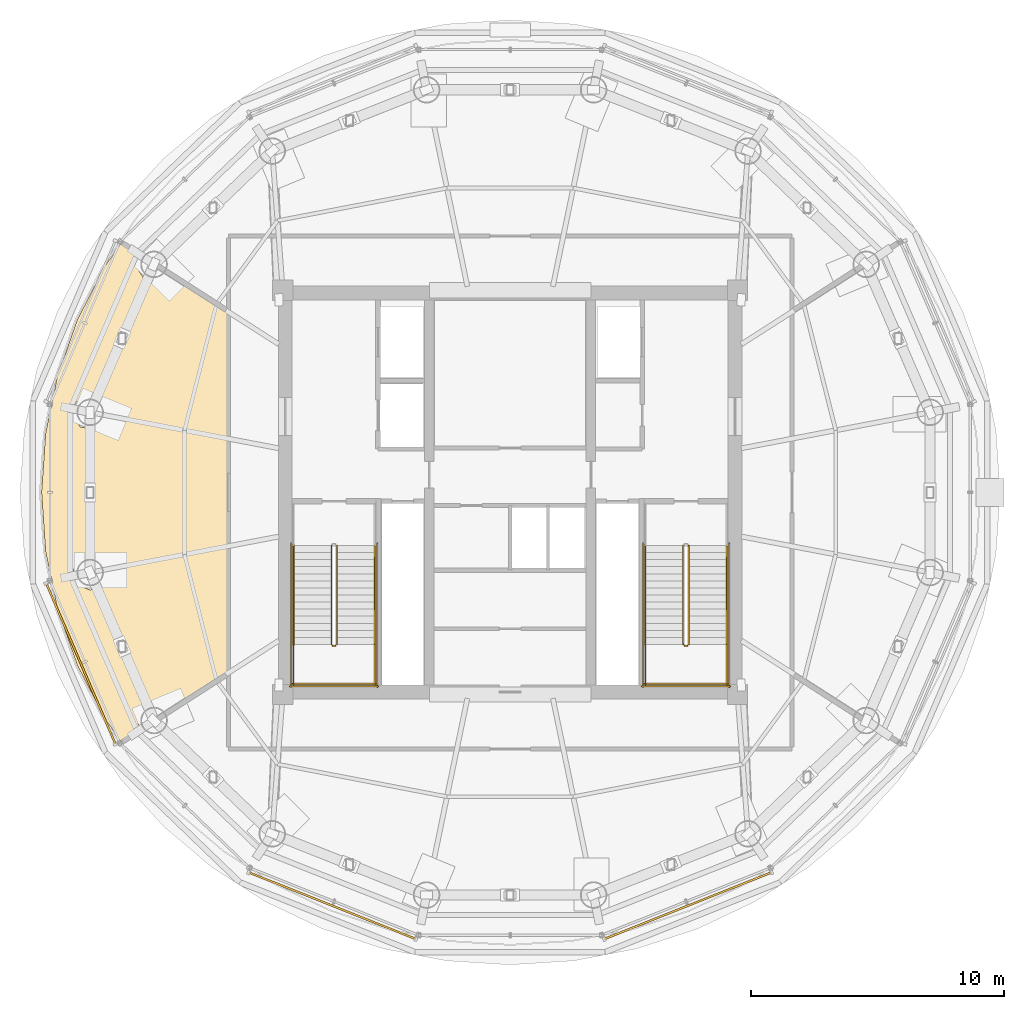
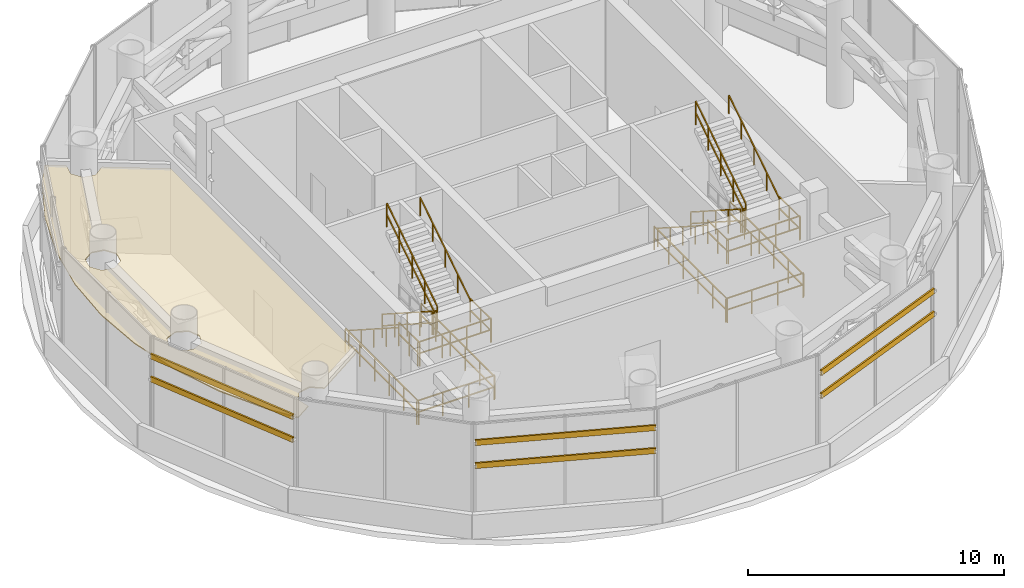
# One storey, part 19 of 21: 22 railings, 6 shading devices, 1 covering.
"""IFC4 building model written with IfcOpenShell, lengths in metres."""

from ifc_helpers import new_model, si_unit, direction, frame, origin, origin_2d, place, context, subcontext, project, spatial, polyline, rectangle, hollow_rectangle, outline, extrude, source, transform, mapped, material, layer, layer_set, material_profile, profile_set, type_object, element, save


model = new_model("IFC4")

# Units and contexts
model_context = context("Model", 3, precision=1e-05, world=origin(), true_north=direction((-0.2419218956, 0.970295726276)))
body_context = subcontext(model_context, "Body", "Model", "MODEL_VIEW")
ifc_project = project(units=[si_unit("LENGTHUNIT", "METRE"), si_unit("AREAUNIT", "SQUARE_METRE"), si_unit("VOLUMEUNIT", "CUBIC_METRE"), si_unit("PLANEANGLEUNIT", "RADIAN"), si_unit("MASSUNIT", "GRAM", prefix="KILO")], contexts=[model_context])

# Site, building, storey
site_placement = place(None, origin())
site = spatial("IfcSite", under=ifc_project, at=site_placement, CompositionType="ELEMENT")
building_placement = place(site_placement, origin())
building = spatial("IfcBuilding", under=site, at=building_placement, Name="Cobrevalo Terracotta Tower", CompositionType="ELEMENT")
storey_placement = place(building_placement, frame((0.0, 0.0, 300.699951171875)))
storey = spatial("IfcBuildingStorey", under=building, at=storey_placement, Name="L79", CompositionType="ELEMENT", Elevation=300.699951171875)

# Covering
ifc_material_1 = material(Name="Acoustic perforated gypsum ceiling", Category="gypsum")
ifc_layer = layer(ifc_material_1, 0.050048828125)
ifc_layer_set = layer_set([ifc_layer], Name="Acoustic perforated gypsum ceiling")
covering_type = type_object("IfcCoveringType", Name="Perforated Acoustic Gypsum Ceiling 50", PredefinedType="CEILING", material=ifc_layer_set)
covering_placement = place(storey_placement, frame((0.0, 0.0, 3.989990234375)))
element("IfcCovering", 1, at=covering_placement, inside=storey, type_object=covering_type, Name="L79 Pressurized Fire Refuge Area acoustic ceiling", PredefinedType="CEILING", context=body_context, shape_type="SweptSolid", body=[
    extrude(outline(polyline([(20.86669921875, 19.970703125), (20.0869140625, 22.18115234375), (19.613525390625, 24.470703125), (19.454833984375, 26.800048828125), (19.613525390625, 29.12939453125), (20.0869140625, 31.4189453125), (20.86669921875, 33.62939453125), (21.939697265625, 35.722900390625), (22.628173828125, 36.71435546875), (23.351806640625, 36.2490234375), (23.22509765625, 35.6923828125), (23.5205078125, 35.250244140625), (24.042236328125, 35.146484375), (24.518798828125, 35.49853515625), (26.7900390625, 34.0380859375), (26.7900390625, 19.56201171875), (24.518798828125, 18.1015625), (24.042236328125, 18.45361328125), (23.5205078125, 18.349853515625), (23.22509765625, 17.907470703125), (23.351806640625, 17.350830078125), (22.628173828125, 16.8857421875), (21.939697265625, 17.877197265625), (20.86669921875, 19.970703125)]), holes=[polyline([(21.866943359375, 23.138427734375), (22.070556640625, 23.6298828125), (21.866943359375, 24.12109375), (21.375732421875, 24.32470703125), (20.88427734375, 24.12109375), (20.680908203125, 23.6298828125), (20.88427734375, 23.138427734375), (21.375732421875, 22.934814453125), (21.866943359375, 23.138427734375)]), polyline([(21.953369140625, 29.584228515625), (22.05712890625, 30.105712890625), (21.76171875, 30.548095703125), (21.240234375, 30.65185546875), (20.7978515625, 30.356201171875), (20.694091796875, 29.834716796875), (20.98974609375, 29.392333984375), (21.51123046875, 29.28857421875), (21.953369140625, 29.584228515625)])]), origin(), (0.0, 0.0, 1.0), 0.050048828125),
])

# Railings
ifc_material_2 = material(Name="Brushed stainless steel", Category="steel")
railing_type_1 = type_object("IfcRailingType", Name="Stainless Steel Stair Handrail 900", PredefinedType="HANDRAIL", material=ifc_material_2)
railing_1_placement = place(storey_placement, frame((29.425048828125, 24.699951171875, 0.179931640625)))
element("IfcRailing", 2, at=railing_1_placement, inside=storey, type_object=railing_type_1, Name="L79 ST-1 stair handrail 1", PredefinedType="HANDRAIL", context=body_context, shape_type="SweptSolid", body=[
    extrude(rectangle(XDim=0.048095703125, YDim=0.048095703125, at=origin_2d()), frame((0.0, 0.0, 0.8759765625), z_axis=(0.0, -0.841171666519, 0.540768182723), x_axis=(1.0, 0.0, 0.0)), (0.0, 0.0, 1.0), 4.66015625),
    extrude(rectangle(XDim=0.0419921875, YDim=0.0419921875, at=origin_2d()), origin(), (0.0, 0.0, 1.0), 0.851806640625),
    extrude(rectangle(XDim=0.0419921875, YDim=0.0419921875, at=origin_2d()), frame((0.0, -0.97998046875, 0.6298828125)), (0.0, 0.0, 1.0), 0.851806640625),
    extrude(rectangle(XDim=0.0419921875, YDim=0.0419921875, at=origin_2d()), frame((0.0, -1.9599609375, 1.260009765625)), (0.0, 0.0, 1.0), 0.851806640625),
    extrude(rectangle(XDim=0.0419921875, YDim=0.0419921875, at=origin_2d()), frame((0.0, -2.93994140625, 1.89013671875)), (0.0, 0.0, 1.0), 0.851806640625),
    extrude(rectangle(XDim=0.0419921875, YDim=0.0419921875, at=origin_2d()), frame((0.0, -3.919921875, 2.52001953125)), (0.0, 0.0, 1.0), 0.851806640625),
])
railing_2_placement = place(storey_placement, frame((32.64501953125, 20.780029296875, 2.880126953125)))
element("IfcRailing", 3, at=railing_2_placement, inside=storey, type_object=railing_type_1, Name="L79 ST-1 stair handrail 2", PredefinedType="HANDRAIL", context=body_context, shape_type="SweptSolid", body=[
    extrude(rectangle(XDim=0.048095703125, YDim=0.048095703125, at=origin_2d()), frame((0.0, 0.0, 0.8759765625), z_axis=(0.0, 0.841171666519, 0.540768182723), x_axis=(-1.0, 0.0, 0.0)), (0.0, 0.0, 1.0), 4.66015625),
    extrude(rectangle(XDim=0.0419921875, YDim=0.0419921875, at=origin_2d()), origin(), (0.0, 0.0, 1.0), 0.851806640625),
    extrude(rectangle(XDim=0.0419921875, YDim=0.0419921875, at=origin_2d()), frame((0.0, 0.97998046875, 0.6298828125)), (0.0, 0.0, 1.0), 0.851806640625),
    extrude(rectangle(XDim=0.0419921875, YDim=0.0419921875, at=origin_2d()), frame((0.0, 1.9599609375, 1.260009765625)), (0.0, 0.0, 1.0), 0.851806640625),
    extrude(rectangle(XDim=0.0419921875, YDim=0.0419921875, at=origin_2d()), frame((0.0, 2.93994140625, 1.89013671875)), (0.0, 0.0, 1.0), 0.851806640625),
    extrude(rectangle(XDim=0.0419921875, YDim=0.0419921875, at=origin_2d()), frame((0.0, 3.919921875, 2.52001953125)), (0.0, 0.0, 1.0), 0.851806640625),
])
railing_3_placement = place(storey_placement, frame((43.35498046875, 24.699951171875, 0.179931640625)))
element("IfcRailing", 4, at=railing_3_placement, inside=storey, type_object=railing_type_1, Name="L79 ST-2 stair handrail 1", PredefinedType="HANDRAIL", context=body_context, shape_type="SweptSolid", body=[
    extrude(rectangle(XDim=0.048095703125, YDim=0.048095703125, at=origin_2d()), frame((0.0, 0.0, 0.8759765625), z_axis=(0.0, -0.841171666519, 0.540768182723), x_axis=(1.0, 0.0, 0.0)), (0.0, 0.0, 1.0), 4.66015625),
    extrude(rectangle(XDim=0.0419921875, YDim=0.0419921875, at=origin_2d()), origin(), (0.0, 0.0, 1.0), 0.851806640625),
    extrude(rectangle(XDim=0.0419921875, YDim=0.0419921875, at=origin_2d()), frame((0.0, -0.97998046875, 0.6298828125)), (0.0, 0.0, 1.0), 0.851806640625),
    extrude(rectangle(XDim=0.0419921875, YDim=0.0419921875, at=origin_2d()), frame((0.0, -1.9599609375, 1.260009765625)), (0.0, 0.0, 1.0), 0.851806640625),
    extrude(rectangle(XDim=0.0419921875, YDim=0.0419921875, at=origin_2d()), frame((0.0, -2.93994140625, 1.89013671875)), (0.0, 0.0, 1.0), 0.851806640625),
    extrude(rectangle(XDim=0.0419921875, YDim=0.0419921875, at=origin_2d()), frame((0.0, -3.919921875, 2.52001953125)), (0.0, 0.0, 1.0), 0.851806640625),
])
railing_4_placement = place(storey_placement, frame((46.574951171875, 20.780029296875, 2.880126953125)))
element("IfcRailing", 5, at=railing_4_placement, inside=storey, type_object=railing_type_1, Name="L79 ST-2 stair handrail 2", PredefinedType="HANDRAIL", context=body_context, shape_type="SweptSolid", body=[
    extrude(rectangle(XDim=0.048095703125, YDim=0.048095703125, at=origin_2d()), frame((0.0, 0.0, 0.8759765625), z_axis=(0.0, 0.841171666519, 0.540768182723), x_axis=(-1.0, 0.0, 0.0)), (0.0, 0.0, 1.0), 4.66015625),
    extrude(rectangle(XDim=0.0419921875, YDim=0.0419921875, at=origin_2d()), origin(), (0.0, 0.0, 1.0), 0.851806640625),
    extrude(rectangle(XDim=0.0419921875, YDim=0.0419921875, at=origin_2d()), frame((0.0, 0.97998046875, 0.6298828125)), (0.0, 0.0, 1.0), 0.851806640625),
    extrude(rectangle(XDim=0.0419921875, YDim=0.0419921875, at=origin_2d()), frame((0.0, 1.9599609375, 1.260009765625)), (0.0, 0.0, 1.0), 0.851806640625),
    extrude(rectangle(XDim=0.0419921875, YDim=0.0419921875, at=origin_2d()), frame((0.0, 2.93994140625, 1.89013671875)), (0.0, 0.0, 1.0), 0.851806640625),
    extrude(rectangle(XDim=0.0419921875, YDim=0.0419921875, at=origin_2d()), frame((0.0, 3.919921875, 2.52001953125)), (0.0, 0.0, 1.0), 0.851806640625),
])
ifc_material_3 = material(Name="Painted galvanized steel", Category="steel")
railing_type_2 = type_object("IfcRailingType", Name="Stair Well Guard Balustrade 1150", PredefinedType="GUARDRAIL", material=ifc_material_3)
railing_5_placement = place(storey_placement, frame((30.925048828125, 24.699951171875, 0.179931640625)))
element("IfcRailing", 6, at=railing_5_placement, inside=storey, type_object=railing_type_2, Name="L79 ST-1 stair guard 1", PredefinedType="GUARDRAIL", context=body_context, shape_type="SweptSolid", body=[
    extrude(rectangle(XDim=0.048095703125, YDim=0.048095703125, at=origin_2d()), frame((0.0, 0.0, 1.1259765625), z_axis=(0.0, -0.841171666519, 0.540768182723), x_axis=(1.0, 0.0, 0.0)), (0.0, 0.0, 1.0), 4.66015625),
    extrude(rectangle(XDim=0.048095703125, YDim=0.048095703125, at=origin_2d()), frame((0.0, 0.0, 0.574951171875), z_axis=(0.0, -0.841171666519, 0.540768182723), x_axis=(1.0, 0.0, 0.0)), (0.0, 0.0, 1.0), 4.66015625),
    extrude(rectangle(XDim=0.0419921875, YDim=0.0419921875, at=origin_2d()), origin(), (0.0, 0.0, 1.0), 1.101806640625),
    extrude(rectangle(XDim=0.0419921875, YDim=0.0419921875, at=origin_2d()), frame((0.0, -0.97998046875, 0.6298828125)), (0.0, 0.0, 1.0), 1.101806640625),
    extrude(rectangle(XDim=0.0419921875, YDim=0.0419921875, at=origin_2d()), frame((0.0, -1.9599609375, 1.260009765625)), (0.0, 0.0, 1.0), 1.101806640625),
    extrude(rectangle(XDim=0.0419921875, YDim=0.0419921875, at=origin_2d()), frame((0.0, -2.93994140625, 1.89013671875)), (0.0, 0.0, 1.0), 1.101806640625),
    extrude(rectangle(XDim=0.0419921875, YDim=0.0419921875, at=origin_2d()), frame((0.0, -3.919921875, 2.52001953125)), (0.0, 0.0, 1.0), 1.101806640625),
])
railing_6_placement = place(storey_placement, frame((30.97509765625, 20.72998046875, 2.699951171875)))
element("IfcRailing", 7, at=railing_6_placement, inside=storey, type_object=railing_type_2, Name="L79 ST-1 stair guard 2", PredefinedType="GUARDRAIL", context=body_context, shape_type="SweptSolid", body=[
    extrude(rectangle(XDim=0.048095703125, YDim=0.048095703125, at=origin_2d()), frame((0.0, 0.0, 1.1259765625), z_axis=(1.0, 0.0, 0.0), x_axis=(0.0, 1.0, 0.0)), (0.0, 0.0, 1.0), 0.119873046875),
    extrude(rectangle(XDim=0.048095703125, YDim=0.048095703125, at=origin_2d()), frame((0.0, 0.0, 0.574951171875), z_axis=(1.0, 0.0, 0.0), x_axis=(0.0, 1.0, 0.0)), (0.0, 0.0, 1.0), 0.119873046875),
    extrude(rectangle(XDim=0.0419921875, YDim=0.0419921875, at=origin_2d()), origin(), (0.0, 0.0, 1.0), 1.101806640625),
    extrude(rectangle(XDim=0.0419921875, YDim=0.0419921875, at=origin_2d()), frame((0.119873046875, 0.0, 0.0)), (0.0, 0.0, 1.0), 1.101806640625),
])
for number, where, name in (
    (8, (29.425048828125, 20.780029296875, 2.699951171875), "L79 ST-1 stair guard 3"),
    (9, (32.64501953125, 20.780029296875, 2.699951171875), "L79 ST-1 stair guard 4"),
):
    element("IfcRailing", number, at=place(storey_placement, frame(where)), inside=storey, type_object=railing_type_2, Name=name, PredefinedType="GUARDRAIL", context=body_context, shape_type="SweptSolid", body=[
        extrude(rectangle(XDim=0.048095703125, YDim=0.048095703125, at=origin_2d()), frame((0.0, 0.0, 1.1259765625), z_axis=(0.0, -1.0, 0.0), x_axis=(1.0, 0.0, 0.0)), (0.0, 0.0, 1.0), 1.60498046875),
        extrude(rectangle(XDim=0.048095703125, YDim=0.048095703125, at=origin_2d()), frame((0.0, 0.0, 0.574951171875), z_axis=(0.0, -1.0, 0.0), x_axis=(1.0, 0.0, 0.0)), (0.0, 0.0, 1.0), 1.60498046875),
        extrude(rectangle(XDim=0.0419921875, YDim=0.0419921875, at=origin_2d()), origin(), (0.0, 0.0, 1.0), 1.101806640625),
        extrude(rectangle(XDim=0.0419921875, YDim=0.0419921875, at=origin_2d()), frame((0.0, -0.802490234375, 0.0)), (0.0, 0.0, 1.0), 1.101806640625),
        extrude(rectangle(XDim=0.0419921875, YDim=0.0419921875, at=origin_2d()), frame((0.0, -1.60498046875, 0.0)), (0.0, 0.0, 1.0), 1.101806640625),
    ])
railing_7_placement = place(storey_placement, frame((29.375, 19.22509765625, 2.699951171875)))
element("IfcRailing", 10, at=railing_7_placement, inside=storey, type_object=railing_type_2, Name="L79 ST-1 stair guard 5", PredefinedType="GUARDRAIL", context=body_context, shape_type="SweptSolid", body=[
    extrude(rectangle(XDim=0.048095703125, YDim=0.048095703125, at=origin_2d()), frame((0.0, 0.0, 1.1259765625), z_axis=(1.0, 0.0, 0.0), x_axis=(0.0, 1.0, 0.0)), (0.0, 0.0, 1.0), 3.320068359375),
    extrude(rectangle(XDim=0.048095703125, YDim=0.048095703125, at=origin_2d()), frame((0.0, 0.0, 0.574951171875), z_axis=(1.0, 0.0, 0.0), x_axis=(0.0, 1.0, 0.0)), (0.0, 0.0, 1.0), 3.320068359375),
    extrude(rectangle(XDim=0.0419921875, YDim=0.0419921875, at=origin_2d()), origin(), (0.0, 0.0, 1.0), 1.101806640625),
    extrude(rectangle(XDim=0.0419921875, YDim=0.0419921875, at=origin_2d()), frame((1.106689453125, 0.0, 0.0)), (0.0, 0.0, 1.0), 1.101806640625),
    extrude(rectangle(XDim=0.0419921875, YDim=0.0419921875, at=origin_2d()), frame((2.21337890625, 0.0, 0.0)), (0.0, 0.0, 1.0), 1.101806640625),
    extrude(rectangle(XDim=0.0419921875, YDim=0.0419921875, at=origin_2d()), frame((3.320068359375, 0.0, 0.0)), (0.0, 0.0, 1.0), 1.101806640625),
])
railing_8_placement = place(storey_placement, frame((31.14501953125, 20.780029296875, 2.880126953125)))
element("IfcRailing", 11, at=railing_8_placement, inside=storey, type_object=railing_type_2, Name="L79 ST-1 stair guard 6", PredefinedType="GUARDRAIL", context=body_context, shape_type="SweptSolid", body=[
    extrude(rectangle(XDim=0.048095703125, YDim=0.048095703125, at=origin_2d()), frame((0.0, 0.0, 1.1259765625), z_axis=(0.0, 0.841171666519, 0.540768182723), x_axis=(-1.0, 0.0, 0.0)), (0.0, 0.0, 1.0), 4.66015625),
    extrude(rectangle(XDim=0.048095703125, YDim=0.048095703125, at=origin_2d()), frame((0.0, 0.0, 0.574951171875), z_axis=(0.0, 0.841171666519, 0.540768182723), x_axis=(-1.0, 0.0, 0.0)), (0.0, 0.0, 1.0), 4.66015625),
    extrude(rectangle(XDim=0.0419921875, YDim=0.0419921875, at=origin_2d()), origin(), (0.0, 0.0, 1.0), 1.101806640625),
    extrude(rectangle(XDim=0.0419921875, YDim=0.0419921875, at=origin_2d()), frame((0.0, 0.97998046875, 0.6298828125)), (0.0, 0.0, 1.0), 1.101806640625),
    extrude(rectangle(XDim=0.0419921875, YDim=0.0419921875, at=origin_2d()), frame((0.0, 1.9599609375, 1.260009765625)), (0.0, 0.0, 1.0), 1.101806640625),
    extrude(rectangle(XDim=0.0419921875, YDim=0.0419921875, at=origin_2d()), frame((0.0, 2.93994140625, 1.89013671875)), (0.0, 0.0, 1.0), 1.101806640625),
    extrude(rectangle(XDim=0.0419921875, YDim=0.0419921875, at=origin_2d()), frame((0.0, 3.919921875, 2.52001953125)), (0.0, 0.0, 1.0), 1.101806640625),
])
for number, where, name in (
    (12, (29.324951171875, 24.800048828125, 0.0), "L79 ST-1 stair guard 10"),
    (13, (32.7451171875, 24.800048828125, 0.0), "L79 ST-1 stair guard 11"),
):
    element("IfcRailing", number, at=place(storey_placement, frame(where)), inside=storey, type_object=railing_type_2, Name=name, PredefinedType="GUARDRAIL", context=body_context, shape_type="SweptSolid", body=[
        extrude(rectangle(XDim=0.048095703125, YDim=0.048095703125, at=origin_2d()), frame((0.0, 0.0, 1.1259765625), z_axis=(0.0, -1.0, 0.0), x_axis=(1.0, 0.0, 0.0)), (0.0, 0.0, 1.0), 5.72509765625),
        extrude(rectangle(XDim=0.048095703125, YDim=0.048095703125, at=origin_2d()), frame((0.0, 0.0, 0.574951171875), z_axis=(0.0, -1.0, 0.0), x_axis=(1.0, 0.0, 0.0)), (0.0, 0.0, 1.0), 5.72509765625),
        extrude(rectangle(XDim=0.0419921875, YDim=0.0419921875, at=origin_2d()), origin(), (0.0, 0.0, 1.0), 1.101806640625),
        extrude(rectangle(XDim=0.0419921875, YDim=0.0419921875, at=origin_2d()), frame((0.0, -1.14501953125, 0.0)), (0.0, 0.0, 1.0), 1.101806640625),
        extrude(rectangle(XDim=0.0419921875, YDim=0.0419921875, at=origin_2d()), frame((0.0, -2.2900390625, 0.0)), (0.0, 0.0, 1.0), 1.101806640625),
        extrude(rectangle(XDim=0.0419921875, YDim=0.0419921875, at=origin_2d()), frame((0.0, -3.43505859375, 0.0)), (0.0, 0.0, 1.0), 1.101806640625),
        extrude(rectangle(XDim=0.0419921875, YDim=0.0419921875, at=origin_2d()), frame((0.0, -4.580078125, 0.0)), (0.0, 0.0, 1.0), 1.101806640625),
        extrude(rectangle(XDim=0.0419921875, YDim=0.0419921875, at=origin_2d()), frame((0.0, -5.72509765625, 0.0)), (0.0, 0.0, 1.0), 1.101806640625),
    ])
railing_9_placement = place(storey_placement, frame((29.27490234375, 19.125, 0.0)))
element("IfcRailing", 14, at=railing_9_placement, inside=storey, type_object=railing_type_2, Name="L79 ST-1 stair guard 12", PredefinedType="GUARDRAIL", context=body_context, shape_type="SweptSolid", body=[
    extrude(rectangle(XDim=0.048095703125, YDim=0.048095703125, at=origin_2d()), frame((0.0, 0.0, 1.1259765625), z_axis=(1.0, 0.0, 0.0), x_axis=(0.0, 1.0, 0.0)), (0.0, 0.0, 1.0), 3.52001953125),
    extrude(rectangle(XDim=0.048095703125, YDim=0.048095703125, at=origin_2d()), frame((0.0, 0.0, 0.574951171875), z_axis=(1.0, 0.0, 0.0), x_axis=(0.0, 1.0, 0.0)), (0.0, 0.0, 1.0), 3.52001953125),
    extrude(rectangle(XDim=0.0419921875, YDim=0.0419921875, at=origin_2d()), origin(), (0.0, 0.0, 1.0), 1.101806640625),
    extrude(rectangle(XDim=0.0419921875, YDim=0.0419921875, at=origin_2d()), frame((1.17333984375, 0.0, 0.0)), (0.0, 0.0, 1.0), 1.101806640625),
    extrude(rectangle(XDim=0.0419921875, YDim=0.0419921875, at=origin_2d()), frame((2.3466796875, 0.0, 0.0)), (0.0, 0.0, 1.0), 1.101806640625),
    extrude(rectangle(XDim=0.0419921875, YDim=0.0419921875, at=origin_2d()), frame((3.52001953125, 0.0, 0.0)), (0.0, 0.0, 1.0), 1.101806640625),
])
railing_10_placement = place(storey_placement, frame((44.85498046875, 24.699951171875, 0.179931640625)))
element("IfcRailing", 15, at=railing_10_placement, inside=storey, type_object=railing_type_2, Name="L79 ST-2 stair guard 1", PredefinedType="GUARDRAIL", context=body_context, shape_type="SweptSolid", body=[
    extrude(rectangle(XDim=0.048095703125, YDim=0.048095703125, at=origin_2d()), frame((0.0, 0.0, 1.1259765625), z_axis=(0.0, -0.841171666519, 0.540768182723), x_axis=(1.0, 0.0, 0.0)), (0.0, 0.0, 1.0), 4.66015625),
    extrude(rectangle(XDim=0.048095703125, YDim=0.048095703125, at=origin_2d()), frame((0.0, 0.0, 0.574951171875), z_axis=(0.0, -0.841171666519, 0.540768182723), x_axis=(1.0, 0.0, 0.0)), (0.0, 0.0, 1.0), 4.66015625),
    extrude(rectangle(XDim=0.0419921875, YDim=0.0419921875, at=origin_2d()), origin(), (0.0, 0.0, 1.0), 1.101806640625),
    extrude(rectangle(XDim=0.0419921875, YDim=0.0419921875, at=origin_2d()), frame((0.0, -0.97998046875, 0.6298828125)), (0.0, 0.0, 1.0), 1.101806640625),
    extrude(rectangle(XDim=0.0419921875, YDim=0.0419921875, at=origin_2d()), frame((0.0, -1.9599609375, 1.260009765625)), (0.0, 0.0, 1.0), 1.101806640625),
    extrude(rectangle(XDim=0.0419921875, YDim=0.0419921875, at=origin_2d()), frame((0.0, -2.93994140625, 1.89013671875)), (0.0, 0.0, 1.0), 1.101806640625),
    extrude(rectangle(XDim=0.0419921875, YDim=0.0419921875, at=origin_2d()), frame((0.0, -3.919921875, 2.52001953125)), (0.0, 0.0, 1.0), 1.101806640625),
])
railing_11_placement = place(storey_placement, frame((44.905029296875, 20.72998046875, 2.699951171875)))
element("IfcRailing", 16, at=railing_11_placement, inside=storey, type_object=railing_type_2, Name="L79 ST-2 stair guard 2", PredefinedType="GUARDRAIL", context=body_context, shape_type="SweptSolid", body=[
    extrude(rectangle(XDim=0.048095703125, YDim=0.048095703125, at=origin_2d()), frame((0.0, 0.0, 1.1259765625), z_axis=(1.0, 0.0, 0.0), x_axis=(0.0, 1.0, 0.0)), (0.0, 0.0, 1.0), 0.119873046875),
    extrude(rectangle(XDim=0.048095703125, YDim=0.048095703125, at=origin_2d()), frame((0.0, 0.0, 0.574951171875), z_axis=(1.0, 0.0, 0.0), x_axis=(0.0, 1.0, 0.0)), (0.0, 0.0, 1.0), 0.119873046875),
    extrude(rectangle(XDim=0.0419921875, YDim=0.0419921875, at=origin_2d()), origin(), (0.0, 0.0, 1.0), 1.101806640625),
    extrude(rectangle(XDim=0.0419921875, YDim=0.0419921875, at=origin_2d()), frame((0.119873046875, 0.0, 0.0)), (0.0, 0.0, 1.0), 1.101806640625),
])
for number, where, name in (
    (17, (43.35498046875, 20.780029296875, 2.699951171875), "L79 ST-2 stair guard 3"),
    (18, (46.574951171875, 20.780029296875, 2.699951171875), "L79 ST-2 stair guard 4"),
):
    element("IfcRailing", number, at=place(storey_placement, frame(where)), inside=storey, type_object=railing_type_2, Name=name, PredefinedType="GUARDRAIL", context=body_context, shape_type="SweptSolid", body=[
        extrude(rectangle(XDim=0.048095703125, YDim=0.048095703125, at=origin_2d()), frame((0.0, 0.0, 1.1259765625), z_axis=(0.0, -1.0, 0.0), x_axis=(1.0, 0.0, 0.0)), (0.0, 0.0, 1.0), 1.60498046875),
        extrude(rectangle(XDim=0.048095703125, YDim=0.048095703125, at=origin_2d()), frame((0.0, 0.0, 0.574951171875), z_axis=(0.0, -1.0, 0.0), x_axis=(1.0, 0.0, 0.0)), (0.0, 0.0, 1.0), 1.60498046875),
        extrude(rectangle(XDim=0.0419921875, YDim=0.0419921875, at=origin_2d()), origin(), (0.0, 0.0, 1.0), 1.101806640625),
        extrude(rectangle(XDim=0.0419921875, YDim=0.0419921875, at=origin_2d()), frame((0.0, -0.802490234375, 0.0)), (0.0, 0.0, 1.0), 1.101806640625),
        extrude(rectangle(XDim=0.0419921875, YDim=0.0419921875, at=origin_2d()), frame((0.0, -1.60498046875, 0.0)), (0.0, 0.0, 1.0), 1.101806640625),
    ])
railing_12_placement = place(storey_placement, frame((43.304931640625, 19.22509765625, 2.699951171875)))
element("IfcRailing", 19, at=railing_12_placement, inside=storey, type_object=railing_type_2, Name="L79 ST-2 stair guard 5", PredefinedType="GUARDRAIL", context=body_context, shape_type="SweptSolid", body=[
    extrude(rectangle(XDim=0.048095703125, YDim=0.048095703125, at=origin_2d()), frame((0.0, 0.0, 1.1259765625), z_axis=(1.0, 0.0, 0.0), x_axis=(0.0, 1.0, 0.0)), (0.0, 0.0, 1.0), 3.320068359375),
    extrude(rectangle(XDim=0.048095703125, YDim=0.048095703125, at=origin_2d()), frame((0.0, 0.0, 0.574951171875), z_axis=(1.0, 0.0, 0.0), x_axis=(0.0, 1.0, 0.0)), (0.0, 0.0, 1.0), 3.320068359375),
    extrude(rectangle(XDim=0.0419921875, YDim=0.0419921875, at=origin_2d()), origin(), (0.0, 0.0, 1.0), 1.101806640625),
    extrude(rectangle(XDim=0.0419921875, YDim=0.0419921875, at=origin_2d()), frame((1.106689453125, 0.0, 0.0)), (0.0, 0.0, 1.0), 1.101806640625),
    extrude(rectangle(XDim=0.0419921875, YDim=0.0419921875, at=origin_2d()), frame((2.21337890625, 0.0, 0.0)), (0.0, 0.0, 1.0), 1.101806640625),
    extrude(rectangle(XDim=0.0419921875, YDim=0.0419921875, at=origin_2d()), frame((3.320068359375, 0.0, 0.0)), (0.0, 0.0, 1.0), 1.101806640625),
])
railing_13_placement = place(storey_placement, frame((45.074951171875, 20.780029296875, 2.880126953125)))
element("IfcRailing", 20, at=railing_13_placement, inside=storey, type_object=railing_type_2, Name="L79 ST-2 stair guard 6", PredefinedType="GUARDRAIL", context=body_context, shape_type="SweptSolid", body=[
    extrude(rectangle(XDim=0.048095703125, YDim=0.048095703125, at=origin_2d()), frame((0.0, 0.0, 1.1259765625), z_axis=(0.0, 0.841171666519, 0.540768182723), x_axis=(-1.0, 0.0, 0.0)), (0.0, 0.0, 1.0), 4.66015625),
    extrude(rectangle(XDim=0.048095703125, YDim=0.048095703125, at=origin_2d()), frame((0.0, 0.0, 0.574951171875), z_axis=(0.0, 0.841171666519, 0.540768182723), x_axis=(-1.0, 0.0, 0.0)), (0.0, 0.0, 1.0), 4.66015625),
    extrude(rectangle(XDim=0.0419921875, YDim=0.0419921875, at=origin_2d()), origin(), (0.0, 0.0, 1.0), 1.101806640625),
    extrude(rectangle(XDim=0.0419921875, YDim=0.0419921875, at=origin_2d()), frame((0.0, 0.97998046875, 0.6298828125)), (0.0, 0.0, 1.0), 1.101806640625),
    extrude(rectangle(XDim=0.0419921875, YDim=0.0419921875, at=origin_2d()), frame((0.0, 1.9599609375, 1.260009765625)), (0.0, 0.0, 1.0), 1.101806640625),
    extrude(rectangle(XDim=0.0419921875, YDim=0.0419921875, at=origin_2d()), frame((0.0, 2.93994140625, 1.89013671875)), (0.0, 0.0, 1.0), 1.101806640625),
    extrude(rectangle(XDim=0.0419921875, YDim=0.0419921875, at=origin_2d()), frame((0.0, 3.919921875, 2.52001953125)), (0.0, 0.0, 1.0), 1.101806640625),
])
for number, where, name in (
    (21, (43.2548828125, 24.800048828125, 0.0), "L79 ST-2 stair guard 10"),
    (22, (46.675048828125, 24.800048828125, 0.0), "L79 ST-2 stair guard 11"),
):
    element("IfcRailing", number, at=place(storey_placement, frame(where)), inside=storey, type_object=railing_type_2, Name=name, PredefinedType="GUARDRAIL", context=body_context, shape_type="SweptSolid", body=[
        extrude(rectangle(XDim=0.048095703125, YDim=0.048095703125, at=origin_2d()), frame((0.0, 0.0, 1.1259765625), z_axis=(0.0, -1.0, 0.0), x_axis=(1.0, 0.0, 0.0)), (0.0, 0.0, 1.0), 5.72509765625),
        extrude(rectangle(XDim=0.048095703125, YDim=0.048095703125, at=origin_2d()), frame((0.0, 0.0, 0.574951171875), z_axis=(0.0, -1.0, 0.0), x_axis=(1.0, 0.0, 0.0)), (0.0, 0.0, 1.0), 5.72509765625),
        extrude(rectangle(XDim=0.0419921875, YDim=0.0419921875, at=origin_2d()), origin(), (0.0, 0.0, 1.0), 1.101806640625),
        extrude(rectangle(XDim=0.0419921875, YDim=0.0419921875, at=origin_2d()), frame((0.0, -1.14501953125, 0.0)), (0.0, 0.0, 1.0), 1.101806640625),
        extrude(rectangle(XDim=0.0419921875, YDim=0.0419921875, at=origin_2d()), frame((0.0, -2.2900390625, 0.0)), (0.0, 0.0, 1.0), 1.101806640625),
        extrude(rectangle(XDim=0.0419921875, YDim=0.0419921875, at=origin_2d()), frame((0.0, -3.43505859375, 0.0)), (0.0, 0.0, 1.0), 1.101806640625),
        extrude(rectangle(XDim=0.0419921875, YDim=0.0419921875, at=origin_2d()), frame((0.0, -4.580078125, 0.0)), (0.0, 0.0, 1.0), 1.101806640625),
        extrude(rectangle(XDim=0.0419921875, YDim=0.0419921875, at=origin_2d()), frame((0.0, -5.72509765625, 0.0)), (0.0, 0.0, 1.0), 1.101806640625),
    ])
railing_14_placement = place(storey_placement, frame((43.205078125, 19.125, 0.0)))
element("IfcRailing", 23, at=railing_14_placement, inside=storey, type_object=railing_type_2, Name="L79 ST-2 stair guard 12", PredefinedType="GUARDRAIL", context=body_context, shape_type="SweptSolid", body=[
    extrude(rectangle(XDim=0.048095703125, YDim=0.048095703125, at=origin_2d()), frame((0.0, 0.0, 1.1259765625), z_axis=(1.0, 0.0, 0.0), x_axis=(0.0, 1.0, 0.0)), (0.0, 0.0, 1.0), 3.52001953125),
    extrude(rectangle(XDim=0.048095703125, YDim=0.048095703125, at=origin_2d()), frame((0.0, 0.0, 0.574951171875), z_axis=(1.0, 0.0, 0.0), x_axis=(0.0, 1.0, 0.0)), (0.0, 0.0, 1.0), 3.52001953125),
    extrude(rectangle(XDim=0.0419921875, YDim=0.0419921875, at=origin_2d()), origin(), (0.0, 0.0, 1.0), 1.101806640625),
    extrude(rectangle(XDim=0.0419921875, YDim=0.0419921875, at=origin_2d()), frame((1.17333984375, 0.0, 0.0)), (0.0, 0.0, 1.0), 1.101806640625),
    extrude(rectangle(XDim=0.0419921875, YDim=0.0419921875, at=origin_2d()), frame((2.3466796875, 0.0, 0.0)), (0.0, 0.0, 1.0), 1.101806640625),
    extrude(rectangle(XDim=0.0419921875, YDim=0.0419921875, at=origin_2d()), frame((3.52001953125, 0.0, 0.0)), (0.0, 0.0, 1.0), 1.101806640625),
])

# Shading devices
ifc_material_4 = material(Name="Anodized aluminium and terracotta", Category="masonry")
ifc_material_profile = material_profile(ifc_material_4, hollow_rectangle(XDim=0.074951171875, YDim=0.260009765625, WallThickness=0.006103515625, at=origin_2d()), Name="LOUVRE BLADE 75x260")
ifc_profile_set = profile_set([ifc_material_profile], Name="Anodized aluminium and terracotta")
shading_device_type = type_object("IfcShadingDeviceType", Name="Plant Acoustic Weather Louvre Blade 75x260", PredefinedType="USERDEFINED", material=ifc_profile_set)
shared_shape_1 = source(origin(), body_context, "Body", "SweptSolid", [
    extrude(hollow_rectangle(XDim=0.074951171875, YDim=0.260009765625, WallThickness=0.006103515625, at=origin_2d()), origin(), (0.0, 0.0, 1.0), 6.93310546875),
])
for number, where, z_axis, x_axis, name in (
    (24, (19.63720703125, 23.205810546875, 3.087646484375), (0.395380780979, -0.918517304155, 0.0), (0.918517304155, 0.395380780979, 0.0), "CW-LV-L79-S09 horizontal terracotta louvre 1"),
    (25, (19.63720703125, 23.205810546875, 4.183349609375), (0.395380780979, -0.918517304155, 0.0), (0.918517304155, 0.395380780979, 0.0), "CW-LV-L79-S09 horizontal terracotta louvre 2"),
):
    element("IfcShadingDevice", number, at=place(storey_placement, frame(where, z_axis=z_axis, x_axis=x_axis)), inside=storey, type_object=shading_device_type, Name=name, ObjectType="LOUVRE", PredefinedType="USERDEFINED", context=body_context, shape_type="MappedRepresentation", body=[
        mapped(shared_shape_1, transform((0.0, 0.0, 0.0), scale=1.0)),
    ])
shared_shape_2 = source(origin(), body_context, "Body", "SweptSolid", [
    extrude(hollow_rectangle(XDim=0.074951171875, YDim=0.260009765625, WallThickness=0.006103515625, at=origin_2d()), origin(), (0.0, 0.0, 1.0), 7.126220703125),
])
for number, where, z_axis, x_axis, name in (
    (26, (27.653564453125, 11.759521484375, 3.087646484375), (0.928936702872, -0.370238574514, 0.0), (0.370238574514, 0.928936702872, 0.0), "CW-LV-L79-S11 horizontal terracotta louvre 1"),
    (27, (27.653564453125, 11.759521484375, 4.183349609375), (0.928936702872, -0.370238574514, 0.0), (0.370238574514, 0.928936702872, 0.0), "CW-LV-L79-S11 horizontal terracotta louvre 2"),
    (28, (41.7265625, 9.12109375, 3.087646484375), (0.928936702872, 0.370238574514, 0.0), (-0.370238574514, 0.928936702872, 0.0), "CW-LV-L79-S13 horizontal terracotta louvre 1"),
    (29, (41.7265625, 9.12109375, 4.183349609375), (0.928936702872, 0.370238574514, 0.0), (-0.370238574514, 0.928936702872, 0.0), "CW-LV-L79-S13 horizontal terracotta louvre 2"),
):
    element("IfcShadingDevice", number, at=place(storey_placement, frame(where, z_axis=z_axis, x_axis=x_axis)), inside=storey, type_object=shading_device_type, Name=name, ObjectType="LOUVRE", PredefinedType="USERDEFINED", context=body_context, shape_type="MappedRepresentation", body=[
        mapped(shared_shape_2, transform((0.0, 0.0, 0.0), scale=1.0)),
    ])

save(model, "model.ifc")
